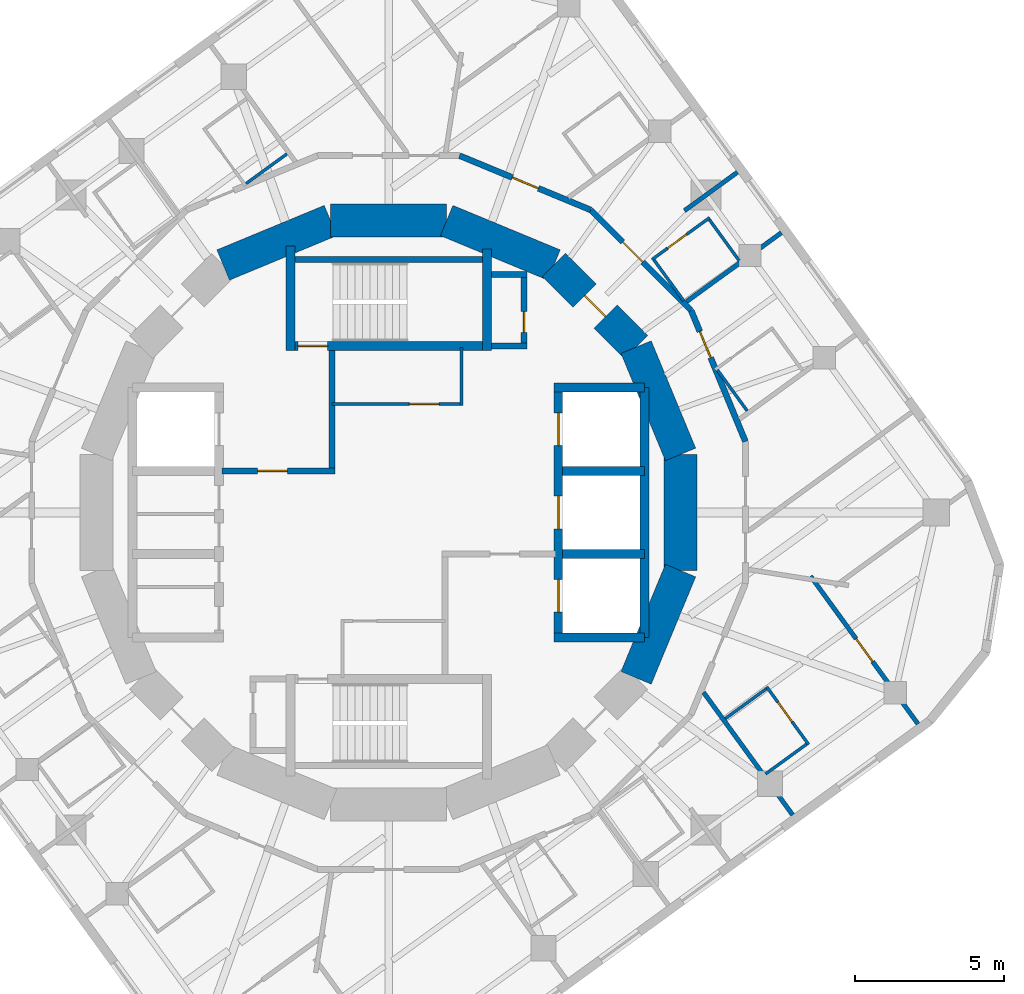
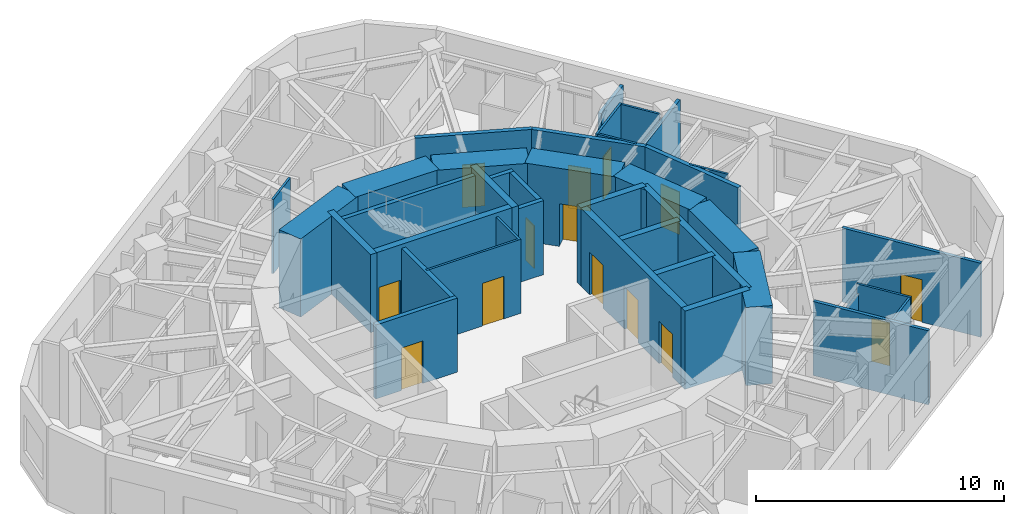
# One storey, part 6 of 9: 39 walls, 14 doors, 14 openings.
"""IFC4 building model written with IfcOpenShell, lengths in metres."""

from ifc_helpers import new_model, si_unit, direction, frame, frame_2d, origin, place, context, subcontext, project, spatial, rectangle, extrude, material, layer, layer_set, type_object, element, fill, save


model = new_model("IFC4")

# Units and contexts
model_context = context("Model", 3, precision=1e-05, world=origin(), true_north=direction((0.0, 1.0)))
body_context = subcontext(model_context, "Body", "Model", "MODEL_VIEW")
ifc_project = project(units=[si_unit("LENGTHUNIT", "METRE"), si_unit("AREAUNIT", "SQUARE_METRE"), si_unit("VOLUMEUNIT", "CUBIC_METRE"), si_unit("PLANEANGLEUNIT", "RADIAN"), si_unit("MASSUNIT", "GRAM", prefix="KILO")], contexts=[model_context])

# Site, building, storey
site_placement = place(None, origin())
site = spatial("IfcSite", under=ifc_project, at=site_placement, CompositionType="ELEMENT")
building_placement = place(site_placement, origin())
building = spatial("IfcBuilding", under=site, at=building_placement, Name="Nakasero Lantern House", CompositionType="ELEMENT")
storey_placement = place(building_placement, frame((0.0, 0.0, 275.300048828125)))
storey = spatial("IfcBuildingStorey", under=building, at=storey_placement, Name="L67", CompositionType="ELEMENT", Elevation=275.300048828125)

# Wall, openings, doors
ifc_material_1 = material(Name="Concrete C50/60", Category="concrete")
ifc_layer_1 = layer(ifc_material_1, 0.300048828125)
ifc_layer_set_1 = layer_set([ifc_layer_1], Name="Core inner wall 300")
wall_type_1 = type_object("IfcWallType", Name="Core inner wall 300", PredefinedType="SHEAR", material=ifc_layer_set_1)
wall_1_placement = place(storey_placement, frame((5.699951171875, -4.199951171875, 0.0), z_axis=(0.0, 0.0, 1.0), x_axis=(0.0, 1.0, 0.0)))
wall_1 = element("IfcWall", 1, at=wall_1_placement, inside=storey, type_object=wall_type_1, Name="Core inner wall L67 LE", PredefinedType="SHEAR", context=body_context, shape_type="SweptSolid", body=[
    extrude(rectangle(XDim=8.39990234375, YDim=0.300048828125, at=frame_2d((4.199951171875, 0.0))), origin(), (0.0, 0.0, 1.0), 3.849853515625),
])
opening_1_placement = place(wall_1_placement, frame((0.85009765625, 0.0, 0.0)))
opening_1 = element("IfcOpeningElement", 2, at=opening_1_placement, cuts=wall_1, Name="Opening LD", PredefinedType="OPENING", context=body_context, shape_type="SweptSolid", body=[
    extrude(rectangle(XDim=1.10009765625, YDim=2.10009765625, at=frame_2d((0.550048828125, 1.050048828125))), frame((0.0, 0.169921875, 0.0), z_axis=(0.0, -1.0, 0.0), x_axis=(1.0, 0.0, 0.0)), (0.0, 0.0, 1.0), 0.340087890625),
])
opening_2_placement = place(wall_1_placement, frame((3.64990234375, 0.0, 0.0)))
opening_2 = element("IfcOpeningElement", 3, at=opening_2_placement, cuts=wall_1, Name="Opening LD", PredefinedType="OPENING", context=body_context, shape_type="SweptSolid", body=[
    extrude(rectangle(XDim=1.10009765625, YDim=2.10009765625, at=frame_2d((0.550048828125, 1.050048828125))), frame((0.0, 0.169921875, 0.0), z_axis=(0.0, -1.0, 0.0), x_axis=(1.0, 0.0, 0.0)), (0.0, 0.0, 1.0), 0.340087890625),
])
opening_3_placement = place(wall_1_placement, frame((6.449951171875, 0.0, 0.0)))
opening_3 = element("IfcOpeningElement", 4, at=opening_3_placement, cuts=wall_1, Name="Opening LD", PredefinedType="OPENING", context=body_context, shape_type="SweptSolid", body=[
    extrude(rectangle(XDim=1.10009765625, YDim=2.10009765625, at=frame_2d((0.550048828125, 1.050048828125))), frame((0.0, 0.169921875, 0.0), z_axis=(0.0, -1.0, 0.0), x_axis=(1.0, 0.0, 0.0)), (0.0, 0.0, 1.0), 0.340087890625),
])
ifc_material_2 = material(Name="Steel S355", Category="steel")
door_type_1 = type_object("IfcDoorType", Name="Lift landing door E120 1100", OperationType="SLIDING_TO_LEFT", PredefinedType="DOOR", material=ifc_material_2)
door_1_placement = place(opening_1_placement, origin())
door_1 = element("IfcDoor", 5, at=door_1_placement, inside=storey, type_object=door_type_1, Name="Lift landing door LE1", OperationType="SLIDING_TO_LEFT", OverallHeight=2.10009765625, OverallWidth=1.10009765625, PredefinedType="DOOR", context=body_context, shape_type="SweptSolid", body=[
    extrude(rectangle(XDim=1.10009765625, YDim=2.10009765625, at=frame_2d((0.550048828125, 1.050048828125))), frame((0.0, 0.02490234375, 0.0), z_axis=(0.0, -1.0, 0.0), x_axis=(1.0, 0.0, 0.0)), (0.0, 0.0, 1.0), 0.050048828125),
])
fill(opening_1, door_1)
door_2_placement = place(opening_2_placement, origin())
door_2 = element("IfcDoor", 6, at=door_2_placement, inside=storey, type_object=door_type_1, Name="Lift landing door LE2", OperationType="SLIDING_TO_LEFT", OverallHeight=2.10009765625, OverallWidth=1.10009765625, PredefinedType="DOOR", context=body_context, shape_type="SweptSolid", body=[
    extrude(rectangle(XDim=1.10009765625, YDim=2.10009765625, at=frame_2d((0.550048828125, 1.050048828125))), frame((0.0, 0.02490234375, 0.0), z_axis=(0.0, -1.0, 0.0), x_axis=(1.0, 0.0, 0.0)), (0.0, 0.0, 1.0), 0.050048828125),
])
fill(opening_2, door_2)
door_3_placement = place(opening_3_placement, origin())
door_3 = element("IfcDoor", 7, at=door_3_placement, inside=storey, type_object=door_type_1, Name="Lift landing door LE3", OperationType="SLIDING_TO_LEFT", OverallHeight=2.10009765625, OverallWidth=1.10009765625, PredefinedType="DOOR", context=body_context, shape_type="SweptSolid", body=[
    extrude(rectangle(XDim=1.10009765625, YDim=2.10009765625, at=frame_2d((0.550048828125, 1.050048828125))), frame((0.0, 0.02490234375, 0.0), z_axis=(0.0, -1.0, 0.0), x_axis=(1.0, 0.0, 0.0)), (0.0, 0.0, 1.0), 0.050048828125),
])
fill(opening_3, door_3)

# Walls
for number, where, z_axis, x_axis, name in (
    (8, (5.550048828125, 4.199951171875, 0.0), (0.0, 0.0, 1.0), (1.0, 0.0, 0.0), "Core inner wall L67 LEN"),
    (9, (5.550048828125, -4.199951171875, 0.0), (0.0, 0.0, 1.0), (1.0, 0.0, 0.0), "Core inner wall L67 LES"),
):
    element("IfcWall", number, at=place(storey_placement, frame(where, z_axis=z_axis, x_axis=x_axis)), inside=storey, type_object=wall_type_1, Name=name, PredefinedType="SHEAR", context=body_context, shape_type="SweptSolid", body=[
        extrude(rectangle(XDim=3.050048828125, YDim=0.300048828125, at=frame_2d((1.52490234375, 0.0))), origin(), (0.0, 0.0, 1.0), 3.849853515625),
    ])
wall_2_placement = place(storey_placement, frame((8.60009765625, -4.199951171875, 0.0), z_axis=(0.0, 0.0, 1.0), x_axis=(0.0, 1.0, 0.0)))
element("IfcWall", 10, at=wall_2_placement, inside=storey, type_object=wall_type_1, Name="Core inner wall L67 LEB", PredefinedType="SHEAR", context=body_context, shape_type="SweptSolid", body=[
    extrude(rectangle(XDim=8.39990234375, YDim=0.300048828125, at=frame_2d((4.199951171875, 0.0))), origin(), (0.0, 0.0, 1.0), 3.849853515625),
])
for number, where, z_axis, x_axis, name in (
    (11, (5.85009765625, -1.39990234375, 0.0), (0.0, 0.0, 1.0), (1.0, 0.0, 0.0), "Core inner wall L67 LE1"),
    (12, (5.85009765625, 1.39990234375, 0.0), (0.0, 0.0, 1.0), (1.0, 0.0, 0.0), "Core inner wall L67 LE2"),
):
    element("IfcWall", number, at=place(storey_placement, frame(where, z_axis=z_axis, x_axis=x_axis)), inside=storey, type_object=wall_type_1, Name=name, PredefinedType="SHEAR", context=body_context, shape_type="SweptSolid", body=[
        extrude(rectangle(XDim=2.75, YDim=0.300048828125, at=frame_2d((1.375, 0.0))), origin(), (0.0, 0.0, 1.0), 3.849853515625),
    ])

# Wall, opening, door
wall_3_placement = place(storey_placement, frame((-3.449951171875, 5.60009765625, 0.0), z_axis=(0.0, 0.0, 1.0), x_axis=(1.0, 0.0, 0.0)))
wall_3 = element("IfcWall", 13, at=wall_3_placement, inside=storey, type_object=wall_type_1, Name="Core inner wall L67 SN", PredefinedType="SHEAR", context=body_context, shape_type="SweptSolid", body=[
    extrude(rectangle(XDim=6.89990234375, YDim=0.300048828125, at=frame_2d((3.449951171875, 0.0))), origin(), (0.0, 0.0, 1.0), 3.849853515625),
])
opening_4_placement = place(wall_3_placement, frame((0.39990234375, 0.0, 0.0)))
opening_4 = element("IfcOpeningElement", 14, at=opening_4_placement, cuts=wall_3, Name="Opening D05", PredefinedType="OPENING", context=body_context, shape_type="SweptSolid", body=[
    extrude(rectangle(XDim=1.0, YDim=2.10009765625, at=frame_2d((0.5, 1.050048828125))), frame((0.0, 0.169921875, 0.0), z_axis=(0.0, -1.0, 0.0), x_axis=(1.0, 0.0, 0.0)), (0.0, 0.0, 1.0), 0.340087890625),
])
ifc_material_3 = material(Name="Timber C24", Category="wood")
door_type_2 = type_object("IfcDoorType", Name="Core door FD60S 1000", OperationType="SINGLE_SWING_LEFT", PredefinedType="DOOR", material=ifc_material_3)
door_4_placement = place(opening_4_placement, origin())
door_4 = element("IfcDoor", 15, at=door_4_placement, inside=storey, type_object=door_type_2, Name="Door L67 D-ST1", OperationType="SINGLE_SWING_LEFT", OverallHeight=2.10009765625, OverallWidth=1.0, PredefinedType="DOOR", context=body_context, shape_type="SweptSolid", body=[
    extrude(rectangle(XDim=1.0, YDim=2.10009765625, at=frame_2d((0.5, 1.050048828125))), frame((0.0, 0.02490234375, 0.0), z_axis=(0.0, -1.0, 0.0), x_axis=(1.0, 0.0, 0.0)), (0.0, 0.0, 1.0), 0.050048828125),
])
fill(opening_4, door_4)

# Walls
wall_4_placement = place(storey_placement, frame((-3.300048828125, 5.449951171875, 0.0), z_axis=(0.0, 0.0, 1.0), x_axis=(0.0, 1.0, 0.0)))
element("IfcWall", 16, at=wall_4_placement, inside=storey, type_object=wall_type_1, Name="Core inner wall L67 SNW", PredefinedType="SHEAR", context=body_context, shape_type="SweptSolid", body=[
    extrude(rectangle(XDim=3.5, YDim=0.300048828125, at=frame_2d((1.75, 0.0))), origin(), (0.0, 0.0, 1.0), 3.849853515625),
])
wall_5_placement = place(storey_placement, frame((3.300048828125, 5.449951171875, 0.0), z_axis=(0.0, 0.0, 1.0), x_axis=(0.0, 1.0, 0.0)))
element("IfcWall", 17, at=wall_5_placement, inside=storey, type_object=wall_type_1, Name="Core inner wall L67 SNE", PredefinedType="SHEAR", context=body_context, shape_type="SweptSolid", body=[
    extrude(rectangle(XDim=3.400146484375, YDim=0.300048828125, at=frame_2d((1.7001953125, 0.0))), origin(), (0.0, 0.0, 1.0), 3.849853515625),
])

# Wall, opening, door
ifc_material_4 = material(Name="Blockwork", Category="masonry")
ifc_layer_2 = layer(ifc_material_4, 0.10009765625)
ifc_layer_set_2 = layer_set([ifc_layer_2], Name="Core room wall 100")
wall_type_2 = type_object("IfcWallType", Name="Core room wall 100", PredefinedType="PARTITIONING", material=ifc_layer_set_2)
wall_6_placement = place(storey_placement, frame((-1.89990234375, 3.64990234375, 0.0), z_axis=(0.0, 0.0, 1.0), x_axis=(1.0, 0.0, 0.0)))
wall_6 = element("IfcWall", 18, at=wall_6_placement, inside=storey, type_object=wall_type_2, Name="Core room wall L67 CR-NES", PredefinedType="PARTITIONING", context=body_context, shape_type="SweptSolid", body=[
    extrude(rectangle(XDim=4.39990234375, YDim=0.10009765625, at=frame_2d((2.199951171875, 0.0))), origin(), (0.0, 0.0, 1.0), 3.64990234375),
])
opening_5_placement = place(wall_6_placement, frame((2.60009765625, 0.0, 0.0)))
opening_5 = element("IfcOpeningElement", 19, at=opening_5_placement, cuts=wall_6, Name="Opening D07", PredefinedType="OPENING", context=body_context, shape_type="SweptSolid", body=[
    extrude(rectangle(XDim=1.0, YDim=2.10009765625, at=frame_2d((0.5, 1.050048828125))), frame((0.0, 0.070068359375, 0.0), z_axis=(0.0, -1.0, 0.0), x_axis=(1.0, 0.0, 0.0)), (0.0, 0.0, 1.0), 0.14013671875),
])
ifc_material_5 = material(Name="Timber C24", Category="wood")
door_type_3 = type_object("IfcDoorType", Name="Room door FD30S 1000", OperationType="SINGLE_SWING_LEFT", PredefinedType="DOOR", material=ifc_material_5)
door_5_placement = place(opening_5_placement, origin())
door_5 = element("IfcDoor", 20, at=door_5_placement, inside=storey, type_object=door_type_3, Name="Door L67 D-CR-NE", OperationType="SINGLE_SWING_RIGHT", OverallHeight=2.10009765625, OverallWidth=1.0, PredefinedType="DOOR", context=body_context, shape_type="SweptSolid", body=[
    extrude(rectangle(XDim=1.0, YDim=2.10009765625, at=frame_2d((0.5, 1.050048828125))), frame((0.0, 0.02490234375, 0.0), z_axis=(0.0, -1.0, 0.0), x_axis=(1.0, 0.0, 0.0)), (0.0, 0.0, 1.0), 0.050048828125),
])
fill(opening_5, door_5)

# Walls
wall_7_placement = place(storey_placement, frame((2.449951171875, 3.60009765625, 0.0), z_axis=(0.0, 0.0, 1.0), x_axis=(0.0, 1.0, 0.0)))
element("IfcWall", 21, at=wall_7_placement, inside=storey, type_object=wall_type_2, Name="Core room wall L67 CR-NEE", PredefinedType="PARTITIONING", context=body_context, shape_type="SweptSolid", body=[
    extrude(rectangle(XDim=1.949951171875, YDim=0.10009765625, at=frame_2d((0.97509765625, 0.0))), origin(), (0.0, 0.0, 1.0), 3.64990234375),
])
ifc_material_6 = material(Name="Concrete C50/60", Category="concrete")
ifc_layer_3 = layer(ifc_material_6, 1.10009765625)
ifc_layer_set_3 = layer_set([ifc_layer_3], Name="Core wall 1100")
wall_type_3 = type_object("IfcWallType", Name="Core wall 1100", PredefinedType="SHEAR", material=ifc_layer_set_3)
wall_8_placement = place(storey_placement, frame((9.807861328125, 1.950927734375, 0.0), z_axis=(0.0, 0.0, 1.0), x_axis=(-0.382690736062, 0.923876507187, 0.0)))
element("IfcWall", 22, at=wall_8_placement, inside=storey, type_object=wall_type_3, Name="Core wall L67 facet 1", PredefinedType="SHEAR", context=body_context, shape_type="SweptSolid", body=[
    extrude(rectangle(XDim=3.90185546875, YDim=1.10009765625, at=frame_2d((1.950927734375, 0.0))), origin(), (0.0, 0.0, 1.0), 3.849853515625),
])

# Wall, opening, door
wall_9_placement = place(storey_placement, frame((8.314697265625, 5.5556640625, 0.0), z_axis=(0.0, 0.0, 1.0), x_axis=(-0.707106781187, 0.707106781187, 0.0)))
wall_9 = element("IfcWall", 23, at=wall_9_placement, inside=storey, type_object=wall_type_3, Name="Core wall L67 facet 2", PredefinedType="SHEAR", context=body_context, shape_type="SweptSolid", body=[
    extrude(rectangle(XDim=3.90185546875, YDim=1.10009765625, at=frame_2d((1.950927734375, 0.0))), origin(), (0.0, 0.0, 1.0), 3.849853515625),
])
opening_6_placement = place(wall_9_placement, frame((1.450927734375, 0.0, 0.0)))
opening_6 = element("IfcOpeningElement", 24, at=opening_6_placement, cuts=wall_9, Name="Opening D05", PredefinedType="OPENING", context=body_context, shape_type="SweptSolid", body=[
    extrude(rectangle(XDim=1.0, YDim=2.10009765625, at=frame_2d((0.5, 1.050048828125))), frame((0.0, 0.570068359375, 0.0), z_axis=(0.0, -1.0, 0.0), x_axis=(1.0, 0.0, 0.0)), (0.0, 0.0, 1.0), 1.14013671875),
])
door_6_placement = place(opening_6_placement, origin())
door_6 = element("IfcDoor", 25, at=door_6_placement, inside=storey, type_object=door_type_2, Name="Door L67 D-CORE02", OperationType="SINGLE_SWING_LEFT", OverallHeight=2.10009765625, OverallWidth=1.0, PredefinedType="DOOR", context=body_context, shape_type="SweptSolid", body=[
    extrude(rectangle(XDim=1.0, YDim=2.10009765625, at=frame_2d((0.5, 1.050048828125))), frame((0.0, 0.02490234375, 0.0), z_axis=(0.0, -1.0, 0.0), x_axis=(1.0, 0.0, 0.0)), (0.0, 0.0, 1.0), 0.050048828125),
])
fill(opening_6, door_6)

# Walls
for number, where, z_axis, x_axis, name in (
    (26, (5.5556640625, 8.314697265625, 0.0), (0.0, 0.0, 1.0), (-0.923876507187, 0.382690736062, 0.0), "Core wall L67 facet 3"),
    (27, (1.950927734375, 9.807861328125, 0.0), (0.0, 0.0, 1.0), (-1.0, 0.0, 0.0), "Core wall L67 facet 4"),
    (28, (-1.950927734375, 9.807861328125, 0.0), (0.0, 0.0, 1.0), (-0.923876507187, -0.382690736062, 0.0), "Core wall L67 facet 5"),
    (29, (8.314697265625, -5.5556640625, 0.0), (0.0, 0.0, 1.0), (0.382690736062, 0.923876507187, 0.0), "Core wall L67 facet 15"),
    (30, (9.807861328125, -1.950927734375, 0.0), (0.0, 0.0, 1.0), (0.0, 1.0, 0.0), "Core wall L67 facet 16"),
):
    element("IfcWall", number, at=place(storey_placement, frame(where, z_axis=z_axis, x_axis=x_axis)), inside=storey, type_object=wall_type_3, Name=name, PredefinedType="SHEAR", context=body_context, shape_type="SweptSolid", body=[
        extrude(rectangle(XDim=3.90185546875, YDim=1.10009765625, at=frame_2d((1.950927734375, 0.0))), origin(), (0.0, 0.0, 1.0), 3.849853515625),
    ])

# Wall, opening, door
ifc_material_7 = material(Name="Blockwork", Category="masonry")
ifc_layer_4 = layer(ifc_material_7, 0.199951171875)
ifc_layer_set_4 = layer_set([ifc_layer_4], Name="Corridor wall 200")
wall_type_4 = type_object("IfcWallType", Name="Corridor wall 200", PredefinedType="PARTITIONING", material=ifc_layer_set_4)
wall_10_placement = place(storey_placement, frame((2.384521484375, 11.98779296875, 0.0), z_axis=(0.0, 0.0, 1.0), x_axis=(0.923885182372, -0.382669792111, 0.0)))
wall_10 = element("IfcWall", 31, at=wall_10_placement, inside=storey, type_object=wall_type_4, Name="Corridor wall L67 RC13a", PredefinedType="PARTITIONING", context=body_context, shape_type="SweptSolid", body=[
    extrude(rectangle(XDim=4.76904296875, YDim=0.199951171875, at=frame_2d((2.384521484375, 0.0))), origin(), (0.0, 0.0, 1.0), 3.64990234375),
])
opening_7_placement = place(wall_10_placement, frame((1.919921875, 0.0, 0.0)))
opening_7 = element("IfcOpeningElement", 32, at=opening_7_placement, cuts=wall_10, Name="Opening D01", PredefinedType="OPENING", context=body_context, shape_type="SweptSolid", body=[
    extrude(rectangle(XDim=0.949951171875, YDim=2.10009765625, at=frame_2d((0.47509765625, 1.050048828125))), frame((0.0, 0.119873046875, 0.0), z_axis=(0.0, -1.0, 0.0), x_axis=(1.0, 0.0, 0.0)), (0.0, 0.0, 1.0), 0.239990234375),
])
ifc_material_8 = material(Name="Timber C24", Category="wood")
door_type_4 = type_object("IfcDoorType", Name="Bedroom door FD30S 950", OperationType="SINGLE_SWING_LEFT", PredefinedType="DOOR", material=ifc_material_8)
door_7_placement = place(opening_7_placement, origin())
door_7 = element("IfcDoor", 33, at=door_7_placement, inside=storey, type_object=door_type_4, Name="Door L67 D0-06", OperationType="SINGLE_SWING_RIGHT", OverallHeight=2.10009765625, OverallWidth=0.949951171875, PredefinedType="DOOR", context=body_context, shape_type="SweptSolid", body=[
    extrude(rectangle(XDim=0.949951171875, YDim=2.10009765625, at=frame_2d((0.47509765625, 1.050048828125))), frame((0.0, 0.02490234375, 0.0), z_axis=(0.0, -1.0, 0.0), x_axis=(1.0, 0.0, 0.0)), (0.0, 0.0, 1.0), 0.050048828125),
])
fill(opening_7, door_7)

wall_11_placement = place(storey_placement, frame((6.79052734375, 10.162841796875, 0.0), z_axis=(0.0, 0.0, 1.0), x_axis=(0.707106781187, -0.707106781187, 0.0)))
wall_11 = element("IfcWall", 34, at=wall_11_placement, inside=storey, type_object=wall_type_4, Name="Corridor wall L67 RC14a", PredefinedType="PARTITIONING", context=body_context, shape_type="SweptSolid", body=[
    extrude(rectangle(XDim=4.769287109375, YDim=0.199951171875, at=frame_2d((2.384765625, 0.0))), origin(), (0.0, 0.0, 1.0), 3.64990234375),
])
opening_8_placement = place(wall_11_placement, frame((1.52001953125, 0.0, 0.0)))
opening_8 = element("IfcOpeningElement", 35, at=opening_8_placement, cuts=wall_11, Name="Opening D01", PredefinedType="OPENING", context=body_context, shape_type="SweptSolid", body=[
    extrude(rectangle(XDim=0.949951171875, YDim=2.10009765625, at=frame_2d((0.47509765625, 1.050048828125))), frame((0.0, 0.119873046875, 0.0), z_axis=(0.0, -1.0, 0.0), x_axis=(1.0, 0.0, 0.0)), (0.0, 0.0, 1.0), 0.239990234375),
])
door_8_placement = place(opening_8_placement, origin())
door_8 = element("IfcDoor", 36, at=door_8_placement, inside=storey, type_object=door_type_4, Name="Door L67 D0-04", OperationType="SINGLE_SWING_LEFT", OverallHeight=2.10009765625, OverallWidth=0.949951171875, PredefinedType="DOOR", context=body_context, shape_type="SweptSolid", body=[
    extrude(rectangle(XDim=0.949951171875, YDim=2.10009765625, at=frame_2d((0.47509765625, 1.050048828125))), frame((0.0, 0.02490234375, 0.0), z_axis=(0.0, -1.0, 0.0), x_axis=(1.0, 0.0, 0.0)), (0.0, 0.0, 1.0), 0.050048828125),
])
fill(opening_8, door_8)

wall_12_placement = place(storey_placement, frame((10.162841796875, 6.79052734375, 0.0), z_axis=(0.0, 0.0, 1.0), x_axis=(0.382669792111, -0.923885182372, 0.0)))
wall_12 = element("IfcWall", 37, at=wall_12_placement, inside=storey, type_object=wall_type_4, Name="Corridor wall L67 RC15a", PredefinedType="PARTITIONING", context=body_context, shape_type="SweptSolid", body=[
    extrude(rectangle(XDim=4.76904296875, YDim=0.199951171875, at=frame_2d((2.384521484375, 0.0))), origin(), (0.0, 0.0, 1.0), 3.64990234375),
])
opening_9_placement = place(wall_12_placement, frame((0.77001953125, 0.0, 0.0)))
opening_9 = element("IfcOpeningElement", 38, at=opening_9_placement, cuts=wall_12, Name="Opening D01", PredefinedType="OPENING", context=body_context, shape_type="SweptSolid", body=[
    extrude(rectangle(XDim=0.949951171875, YDim=2.10009765625, at=frame_2d((0.47509765625, 1.050048828125))), frame((0.0, 0.119873046875, 0.0), z_axis=(0.0, -1.0, 0.0), x_axis=(1.0, 0.0, 0.0)), (0.0, 0.0, 1.0), 0.239990234375),
])
door_9_placement = place(opening_9_placement, origin())
door_9 = element("IfcDoor", 39, at=door_9_placement, inside=storey, type_object=door_type_4, Name="Door L67 D0-03", OperationType="SINGLE_SWING_LEFT", OverallHeight=2.10009765625, OverallWidth=0.949951171875, PredefinedType="DOOR", context=body_context, shape_type="SweptSolid", body=[
    extrude(rectangle(XDim=0.949951171875, YDim=2.10009765625, at=frame_2d((0.47509765625, 1.050048828125))), frame((0.0, 0.02490234375, 0.0), z_axis=(0.0, -1.0, 0.0), x_axis=(1.0, 0.0, 0.0)), (0.0, 0.0, 1.0), 0.050048828125),
])
fill(opening_9, door_9)

# Wall
ifc_material_9 = material(Name="Blockwork", Category="masonry")
ifc_layer_5 = layer(ifc_material_9, 0.10009765625)
ifc_layer_set_5 = layer_set([ifc_layer_5], Name="En-suite wall 100")
wall_type_5 = type_object("IfcWallType", Name="En-suite wall 100", PredefinedType="PARTITIONING", material=ifc_layer_set_5)
wall_13_placement = place(storey_placement, frame((12.046142578125, 3.414794921875, 0.0), z_axis=(0.0, 0.0, 1.0), x_axis=(-0.587659235066, 0.809108536256, 0.0)))
element("IfcWall", 40, at=wall_13_placement, inside=storey, type_object=wall_type_5, Name="En-suite wall L67 EI0-03", PredefinedType="PARTITIONING", context=body_context, shape_type="SweptSolid", body=[
    extrude(rectangle(XDim=1.699951171875, YDim=0.10009765625, at=frame_2d((0.85009765625, 0.0))), origin(), (0.0, 0.0, 1.0), 3.64990234375),
])

# Wall, opening, door
wall_14_placement = place(storey_placement, frame((8.846435546875, 8.495849609375, 0.0), z_axis=(0.0, 0.0, 1.0), x_axis=(0.809026317077, 0.587772420479, 0.0)))
wall_14 = element("IfcWall", 41, at=wall_14_placement, inside=storey, type_object=wall_type_5, Name="En-suite wall L67 ES0-04", PredefinedType="PARTITIONING", context=body_context, shape_type="SweptSolid", body=[
    extrude(rectangle(XDim=2.39990234375, YDim=0.10009765625, at=frame_2d((1.199951171875, 0.0))), origin(), (0.0, 0.0, 1.0), 3.64990234375),
])
opening_10_placement = place(wall_14_placement, frame((0.64990234375, 0.0, 0.0)))
opening_10 = element("IfcOpeningElement", 42, at=opening_10_placement, cuts=wall_14, Name="Opening D02", PredefinedType="OPENING", context=body_context, shape_type="SweptSolid", body=[
    extrude(rectangle(XDim=0.800048828125, YDim=2.10009765625, at=frame_2d((0.39990234375, 1.050048828125))), frame((0.0, 0.070068359375, 0.0), z_axis=(0.0, -1.0, 0.0), x_axis=(1.0, 0.0, 0.0)), (0.0, 0.0, 1.0), 0.14013671875),
])
ifc_material_10 = material(Name="Timber C24", Category="wood")
door_type_5 = type_object("IfcDoorType", Name="En-suite door 800", OperationType="SINGLE_SWING_RIGHT", PredefinedType="DOOR", material=ifc_material_10)
door_10_placement = place(opening_10_placement, origin())
door_10 = element("IfcDoor", 43, at=door_10_placement, inside=storey, type_object=door_type_5, Name="Door L67 DE0-04", OperationType="SINGLE_SWING_LEFT", OverallHeight=2.10009765625, OverallWidth=0.800048828125, PredefinedType="DOOR", context=body_context, shape_type="SweptSolid", body=[
    extrude(rectangle(XDim=0.800048828125, YDim=2.10009765625, at=frame_2d((0.39990234375, 1.050048828125))), frame((0.0, 0.02490234375, 0.0), z_axis=(0.0, -1.0, 0.0), x_axis=(1.0, 0.0, 0.0)), (0.0, 0.0, 1.0), 0.050048828125),
])
fill(opening_10, door_10)

# Walls
wall_15_placement = place(storey_placement, frame((11.7763671875, 8.461181640625, 0.0), z_axis=(0.0, 0.0, 1.0), x_axis=(-0.58775323954, 0.809040252033, 0.0)))
element("IfcWall", 44, at=wall_15_placement, inside=storey, type_object=wall_type_5, Name="En-suite wall L67 EE0-04", PredefinedType="PARTITIONING", context=body_context, shape_type="SweptSolid", body=[
    extrude(rectangle(XDim=1.7001953125, YDim=0.10009765625, at=frame_2d((0.85009765625, 0.0))), origin(), (0.0, 0.0, 1.0), 3.64990234375),
])
for number, where, z_axis, x_axis, name in (
    (45, (9.91552734375, 7.109375, 0.0), (0.0, 0.0, 1.0), (-0.587821529301, 0.808990636343, 0.0), "En-suite wall L67 EI0-04"),
    (46, (-3.414794921875, 12.046142578125, 0.0), (0.0, 0.0, 1.0), (-0.809108536256, -0.587659235066, 0.0), "En-suite wall L67 EI1-03"),
):
    element("IfcWall", number, at=place(storey_placement, frame(where, z_axis=z_axis, x_axis=x_axis)), inside=storey, type_object=wall_type_5, Name=name, PredefinedType="PARTITIONING", context=body_context, shape_type="SweptSolid", body=[
        extrude(rectangle(XDim=1.699951171875, YDim=0.10009765625, at=frame_2d((0.85009765625, 0.0))), origin(), (0.0, 0.0, 1.0), 3.64990234375),
    ])

# Wall, opening, door
wall_16_placement = place(storey_placement, frame((12.7001953125, -5.852783203125, 0.0), z_axis=(0.0, 0.0, 1.0), x_axis=(0.587772420479, -0.809026317077, 0.0)))
wall_16 = element("IfcWall", 47, at=wall_16_placement, inside=storey, type_object=wall_type_5, Name="En-suite wall L67 ES3-06", PredefinedType="PARTITIONING", context=body_context, shape_type="SweptSolid", body=[
    extrude(rectangle(XDim=2.39990234375, YDim=0.10009765625, at=frame_2d((1.199951171875, 0.0))), origin(), (0.0, 0.0, 1.0), 3.64990234375),
])
opening_11_placement = place(wall_16_placement, frame((0.64990234375, 0.0, 0.0)))
opening_11 = element("IfcOpeningElement", 48, at=opening_11_placement, cuts=wall_16, Name="Opening D02", PredefinedType="OPENING", context=body_context, shape_type="SweptSolid", body=[
    extrude(rectangle(XDim=0.800048828125, YDim=2.10009765625, at=frame_2d((0.39990234375, 1.050048828125))), frame((0.0, 0.070068359375, 0.0), z_axis=(0.0, -1.0, 0.0), x_axis=(1.0, 0.0, 0.0)), (0.0, 0.0, 1.0), 0.14013671875),
])
door_11_placement = place(opening_11_placement, origin())
door_11 = element("IfcDoor", 49, at=door_11_placement, inside=storey, type_object=door_type_5, Name="Door L67 DE3-06", OperationType="SINGLE_SWING_LEFT", OverallHeight=2.10009765625, OverallWidth=0.800048828125, PredefinedType="DOOR", context=body_context, shape_type="SweptSolid", body=[
    extrude(rectangle(XDim=0.800048828125, YDim=2.10009765625, at=frame_2d((0.39990234375, 1.050048828125))), frame((0.0, 0.02490234375, 0.0), z_axis=(0.0, -1.0, 0.0), x_axis=(1.0, 0.0, 0.0)), (0.0, 0.0, 1.0), 0.050048828125),
])
fill(opening_11, door_11)

# Walls
wall_17_placement = place(storey_placement, frame((12.665771484375, -8.78271484375, 0.0), z_axis=(0.0, 0.0, 1.0), x_axis=(0.808990636343, 0.587821529301, 0.0)))
element("IfcWall", 50, at=wall_17_placement, inside=storey, type_object=wall_type_5, Name="En-suite wall L67 EE3-06", PredefinedType="PARTITIONING", context=body_context, shape_type="SweptSolid", body=[
    extrude(rectangle(XDim=1.699951171875, YDim=0.10009765625, at=frame_2d((0.85009765625, 0.0))), origin(), (0.0, 0.0, 1.0), 3.64990234375),
])
wall_18_placement = place(storey_placement, frame((11.313720703125, -6.921875, 0.0), z_axis=(0.0, 0.0, 1.0), x_axis=(0.809040252033, 0.58775323954, 0.0)))
element("IfcWall", 51, at=wall_18_placement, inside=storey, type_object=wall_type_5, Name="En-suite wall L67 EI3-06", PredefinedType="PARTITIONING", context=body_context, shape_type="SweptSolid", body=[
    extrude(rectangle(XDim=1.7001953125, YDim=0.10009765625, at=frame_2d((0.85009765625, 0.0))), origin(), (0.0, 0.0, 1.0), 3.18994140625),
])

# Wall, opening, door
ifc_material_11 = material(Name="Blockwork", Category="masonry")
ifc_layer_6 = layer(ifc_material_11, 0.199951171875)
ifc_layer_set_6 = layer_set([ifc_layer_6], Name="Fire lobby wall 200")
wall_type_6 = type_object("IfcWallType", Name="Fire lobby wall 200", PredefinedType="PARTITIONING", material=ifc_layer_set_6)
wall_19_placement = place(storey_placement, frame((-5.60009765625, 1.39990234375, 0.0), z_axis=(0.0, 0.0, 1.0), x_axis=(1.0, 0.0, 0.0)))
wall_19 = element("IfcWall", 52, at=wall_19_placement, inside=storey, type_object=wall_type_6, Name="Fire lobby wall L67 W-FL1S", PredefinedType="PARTITIONING", context=body_context, shape_type="SweptSolid", body=[
    extrude(rectangle(XDim=3.800048828125, YDim=0.199951171875, at=frame_2d((1.89990234375, 0.0))), origin(), (0.0, 0.0, 1.0), 3.64990234375),
])
opening_12_placement = place(wall_19_placement, frame((1.199951171875, 0.0, 0.0)))
opening_12 = element("IfcOpeningElement", 53, at=opening_12_placement, cuts=wall_19, Name="Opening D05", PredefinedType="OPENING", context=body_context, shape_type="SweptSolid", body=[
    extrude(rectangle(XDim=1.0, YDim=2.10009765625, at=frame_2d((0.5, 1.050048828125))), frame((0.0, 0.119873046875, 0.0), z_axis=(0.0, -1.0, 0.0), x_axis=(1.0, 0.0, 0.0)), (0.0, 0.0, 1.0), 0.239990234375),
])
door_12_placement = place(opening_12_placement, origin())
door_12 = element("IfcDoor", 54, at=door_12_placement, inside=storey, type_object=door_type_2, Name="Door L67 D-FL1", OperationType="SINGLE_SWING_LEFT", OverallHeight=2.10009765625, OverallWidth=1.0, PredefinedType="DOOR", context=body_context, shape_type="SweptSolid", body=[
    extrude(rectangle(XDim=1.0, YDim=2.10009765625, at=frame_2d((0.5, 1.050048828125))), frame((0.0, 0.02490234375, 0.0), z_axis=(0.0, -1.0, 0.0), x_axis=(1.0, 0.0, 0.0)), (0.0, 0.0, 1.0), 0.050048828125),
])
fill(opening_12, door_12)

# Wall
wall_20_placement = place(storey_placement, frame((-1.89990234375, 1.5, 0.0), z_axis=(0.0, 0.0, 1.0), x_axis=(0.0, 1.0, 0.0)))
element("IfcWall", 55, at=wall_20_placement, inside=storey, type_object=wall_type_6, Name="Fire lobby wall L67 W-FL1E", PredefinedType="PARTITIONING", context=body_context, shape_type="SweptSolid", body=[
    extrude(rectangle(XDim=3.949951171875, YDim=0.199951171875, at=frame_2d((1.97509765625, 0.0))), origin(), (0.0, 0.0, 1.0), 3.64990234375),
])

# Wall, opening, door
wall_21_placement = place(storey_placement, frame((4.550048828125, 5.60009765625, 0.0), z_axis=(0.0, 0.0, 1.0), x_axis=(0.0, 1.0, 0.0)))
wall_21 = element("IfcWall", 56, at=wall_21_placement, inside=storey, type_object=wall_type_6, Name="Fire lobby wall L67 W-RS1E", PredefinedType="PARTITIONING", context=body_context, shape_type="SweptSolid", body=[
    extrude(rectangle(XDim=2.39990234375, YDim=0.199951171875, at=frame_2d((1.199951171875, 0.0))), origin(), (0.0, 0.0, 1.0), 3.64990234375),
])
opening_13_placement = place(wall_21_placement, frame((0.449951171875, 0.0, 0.0)))
opening_13 = element("IfcOpeningElement", 57, at=opening_13_placement, cuts=wall_21, Name="Opening D06", PredefinedType="OPENING", context=body_context, shape_type="SweptSolid", body=[
    extrude(rectangle(XDim=0.699951171875, YDim=2.10009765625, at=frame_2d((0.35009765625, 1.050048828125))), frame((0.0, 0.119873046875, 0.0), z_axis=(0.0, -1.0, 0.0), x_axis=(1.0, 0.0, 0.0)), (0.0, 0.0, 1.0), 0.239990234375),
])
ifc_material_12 = material(Name="Steel S355", Category="steel")
door_type_6 = type_object("IfcDoorType", Name="Riser door FD60 700", OperationType="SINGLE_SWING_LEFT", PredefinedType="DOOR", material=ifc_material_12)
door_13_placement = place(opening_13_placement, origin())
door_13 = element("IfcDoor", 58, at=door_13_placement, inside=storey, type_object=door_type_6, Name="Door L67 D-RS1", OperationType="SINGLE_SWING_LEFT", OverallHeight=2.10009765625, OverallWidth=0.699951171875, PredefinedType="DOOR", context=body_context, shape_type="SweptSolid", body=[
    extrude(rectangle(XDim=0.699951171875, YDim=2.10009765625, at=frame_2d((0.35009765625, 1.050048828125))), frame((0.0, 0.02490234375, 0.0), z_axis=(0.0, -1.0, 0.0), x_axis=(1.0, 0.0, 0.0)), (0.0, 0.0, 1.0), 0.050048828125),
])
fill(opening_13, door_13)

# Walls
for number, where, z_axis, x_axis, name in (
    (59, (3.449951171875, 8.0, 0.0), (0.0, 0.0, 1.0), (1.0, 0.0, 0.0), "Fire lobby wall L67 W-RS1N"),
    (60, (3.449951171875, 5.60009765625, 0.0), (0.0, 0.0, 1.0), (1.0, 0.0, 0.0), "Fire lobby wall L67 W-RS1S"),
):
    element("IfcWall", number, at=place(storey_placement, frame(where, z_axis=z_axis, x_axis=x_axis)), inside=storey, type_object=wall_type_6, Name=name, PredefinedType="PARTITIONING", context=body_context, shape_type="SweptSolid", body=[
        extrude(rectangle(XDim=1.199951171875, YDim=0.199951171875, at=frame_2d((0.60009765625, 0.0))), origin(), (0.0, 0.0, 1.0), 3.64990234375),
    ])
wall_22_placement = place(storey_placement, frame((-3.300048828125, 8.5, 0.0), z_axis=(0.0, 0.0, 1.0), x_axis=(1.0, 0.0, 0.0)))
element("IfcWall", 61, at=wall_22_placement, inside=storey, type_object=wall_type_6, Name="Fire lobby wall L67 W-STN", PredefinedType="PARTITIONING", context=body_context, shape_type="SweptSolid", body=[
    extrude(rectangle(XDim=6.60009765625, YDim=0.199951171875, at=frame_2d((3.300048828125, 0.0))), origin(), (0.0, 0.0, 1.0), 3.64990234375),
])
ifc_material_13 = material(Name="Blockwork", Category="masonry")
ifc_layer_7 = layer(ifc_material_13, 0.14990234375)
ifc_layer_set_7 = layer_set([ifc_layer_7], Name="Party wall 150")
wall_type_7 = type_object("IfcWallType", Name="Party wall 150", PredefinedType="PARTITIONING", material=ifc_layer_set_7)
wall_23_placement = place(storey_placement, frame((9.939208984375, 10.13818359375, 0.0), z_axis=(0.0, 0.0, 1.0), x_axis=(0.808990345923, 0.587821928992, 0.0)))
element("IfcWall", 62, at=wall_23_placement, inside=storey, type_object=wall_type_7, Name="Party wall L67 PN0-05", PredefinedType="PARTITIONING", context=body_context, shape_type="SweptSolid", body=[
    extrude(rectangle(XDim=2.199951171875, YDim=0.14990234375, at=frame_2d((1.10009765625, 0.0))), origin(), (0.0, 0.0, 1.0), 3.294921875),
])
wall_24_placement = place(storey_placement, frame((10.009765625, 7.085205078125, 0.0), z_axis=(0.0, 0.0, 1.0), x_axis=(0.809022902379, 0.587777120537, 0.0)))
element("IfcWall", 63, at=wall_24_placement, inside=storey, type_object=wall_type_7, Name="Party wall L67 PW0-04", PredefinedType="PARTITIONING", context=body_context, shape_type="SweptSolid", body=[
    extrude(rectangle(XDim=3.937255859375, YDim=0.14990234375, at=frame_2d((1.96875, 0.0))), origin(), (0.0, 0.0, 1.0), 3.294921875),
])
wall_25_placement = place(storey_placement, frame((10.581298828125, -6.04150390625, 0.0), z_axis=(0.0, 0.0, 1.0), x_axis=(0.587812495358, -0.808997200429, 0.0)))
element("IfcWall", 64, at=wall_25_placement, inside=storey, type_object=wall_type_7, Name="Party wall L67 PW3-06", PredefinedType="PARTITIONING", context=body_context, shape_type="SweptSolid", body=[
    extrude(rectangle(XDim=5.0927734375, YDim=0.14990234375, at=frame_2d((2.54638671875, 0.0))), origin(), (0.0, 0.0, 1.0), 3.64990234375),
])

# Wall, opening, door
wall_26_placement = place(storey_placement, frame((14.1767578125, -2.137939453125, 0.0), z_axis=(0.0, 0.0, 1.0), x_axis=(0.587774266883, -0.809024975628, 0.0)))
wall_26 = element("IfcWall", 65, at=wall_26_placement, inside=storey, type_object=wall_type_7, Name="Party wall L67 PW3-07", PredefinedType="PARTITIONING", context=body_context, shape_type="SweptSolid", body=[
    extrude(rectangle(XDim=6.137451171875, YDim=0.14990234375, at=frame_2d((3.06884765625, 0.0))), origin(), (0.0, 0.0, 1.0), 3.64990234375),
])
opening_14_placement = place(wall_26_placement, frame((2.60009765625, 0.0, 0.0)))
opening_14 = element("IfcOpeningElement", 66, at=opening_14_placement, cuts=wall_26, Name="Opening D01", PredefinedType="OPENING", context=body_context, shape_type="SweptSolid", body=[
    extrude(rectangle(XDim=0.949951171875, YDim=2.10009765625, at=frame_2d((0.47509765625, 1.050048828125))), frame((0.0, 0.094970703125, 0.0), z_axis=(0.0, -1.0, 0.0), x_axis=(1.0, 0.0, 0.0)), (0.0, 0.0, 1.0), 0.18994140625),
])
door_14_placement = place(opening_14_placement, origin())
door_14 = element("IfcDoor", 67, at=door_14_placement, inside=storey, type_object=door_type_4, Name="Door L67 DC3", OperationType="SINGLE_SWING_RIGHT", OverallHeight=2.10009765625, OverallWidth=0.949951171875, PredefinedType="DOOR", context=body_context, shape_type="SweptSolid", body=[
    extrude(rectangle(XDim=0.949951171875, YDim=2.10009765625, at=frame_2d((0.47509765625, 1.050048828125))), frame((0.0, 0.02490234375, 0.0), z_axis=(0.0, -1.0, 0.0), x_axis=(1.0, 0.0, 0.0)), (0.0, 0.0, 1.0), 0.050048828125),
])
fill(opening_14, door_14)

save(model, "model.ifc")
